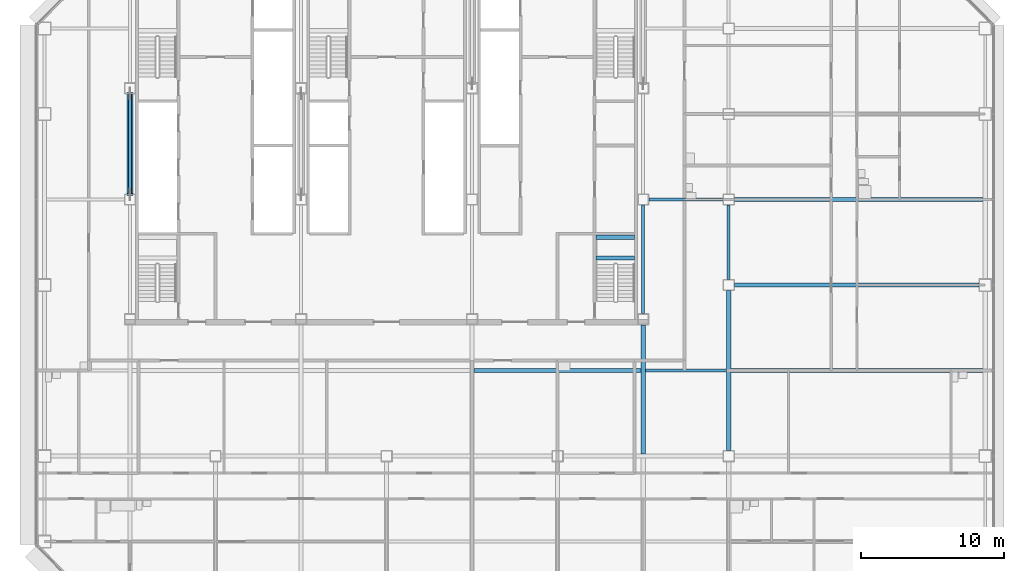
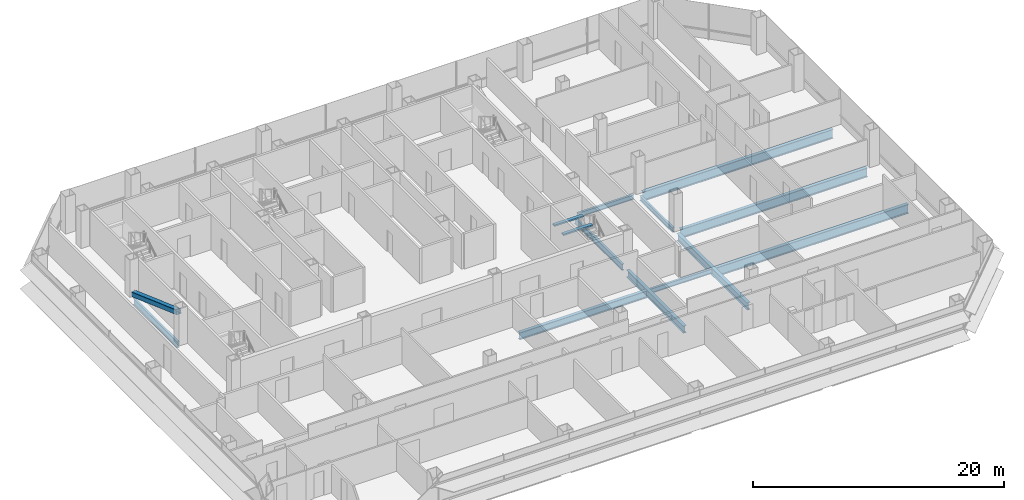
# One storey, part 10 of 27: 13 beams, 1 member.
"""IFC4 building model written with IfcOpenShell, lengths in metres."""

from ifc_helpers import new_model, si_unit, direction, frame, origin, origin_2d, place, context, subcontext, project, spatial, rectangle, hollow_rectangle, i_section, extrude, material, material_profile, profile_set, type_object, element, save


model = new_model("IFC4")

# Units and contexts
model_context = context("Model", 3, precision=1e-05, world=origin(), true_north=direction((0.0, 1.0)))
body_context = subcontext(model_context, "Body", "Model", "MODEL_VIEW")
ifc_project = project(units=[si_unit("LENGTHUNIT", "METRE"), si_unit("AREAUNIT", "SQUARE_METRE"), si_unit("VOLUMEUNIT", "CUBIC_METRE"), si_unit("PLANEANGLEUNIT", "RADIAN"), si_unit("MASSUNIT", "GRAM", prefix="KILO")], contexts=[model_context])

# Site, building, storey
site_placement = place(None, origin())
site = spatial("IfcSite", under=ifc_project, at=site_placement, CompositionType="ELEMENT")
building_placement = place(site_placement, origin())
building = spatial("IfcBuilding", under=site, at=building_placement, Name="Sorahane Residences", CompositionType="ELEMENT")
storey_placement = place(building_placement, frame((0.0, 0.0, 75.0)))
storey = spatial("IfcBuildingStorey", under=building, at=storey_placement, Name="L15", CompositionType="ELEMENT", Elevation=75.0)

# Member
ifc_material_1 = material(Name="Steel Q355B", Category="steel")
ifc_material_profile_1 = material_profile(ifc_material_1, hollow_rectangle(XDim=0.449951171875, YDim=0.449951171875, WallThickness=0.02197265625, InnerFilletRadius=0.010986328125, OuterFilletRadius=0.032958984375, at=origin_2d()), Name="RHS 450x450x22")
ifc_profile_set_1 = profile_set([ifc_material_profile_1], Name="Steel Q355B")
member_type = type_object("IfcMemberType", Name="Core brace RHS 450x450x22 Q355B", PredefinedType="BRACE", material=ifc_profile_set_1)
member_placement = place(storey_placement, frame((6.0, 37.44580078125, 0.20849609375), z_axis=(0.0, -0.940886586011, 0.338721762313), x_axis=(1.0, 0.0, 0.0)))
element("IfcMember", 1, at=member_placement, inside=storey, type_object=member_type, Name="Core brace L15 x6-2", PredefinedType="BRACE", context=body_context, shape_type="SweptSolid", body=[
    extrude(hollow_rectangle(XDim=0.449951171875, YDim=0.449951171875, WallThickness=0.02197265625, InnerFilletRadius=0.010986328125, OuterFilletRadius=0.032958984375, at=origin_2d()), origin(), (0.0, 0.0, 1.0), 7.537109375),
])

# Beams
ifc_material_2 = material(Name="Concrete C40", Category="concrete")
ifc_material_profile_2 = material_profile(ifc_material_2, rectangle(XDim=0.300048828125, YDim=0.139892578125, at=origin_2d()), Name="300x140")
ifc_profile_set_2 = profile_set([ifc_material_profile_2], Name="Concrete C40")
beam_type_1 = type_object("IfcBeamType", Name="RC landing beam 300 x 140 Concrete C40", PredefinedType="BEAM", material=ifc_profile_set_2)
for number, where, z_axis, x_axis, name in (
    (2, (38.699951171875, 25.89990234375, 1.530029296875), (1.0, 0.0, 0.0), (0.0, 1.0, 0.0), "Landing beam"),
    (3, (38.699951171875, 27.35009765625, 1.530029296875), (1.0, 0.0, 0.0), (0.0, 1.0, 0.0), "Landing beam"),
):
    element("IfcBeam", number, at=place(storey_placement, frame(where, z_axis=z_axis, x_axis=x_axis)), inside=storey, type_object=beam_type_1, Name=name, PredefinedType="BEAM", context=body_context, shape_type="SweptSolid", body=[
        extrude(rectangle(XDim=0.300048828125, YDim=0.139892578125, at=origin_2d()), origin(), (0.0, 0.0, 1.0), 2.699951171875),
    ])
ifc_material_3 = material(Name="Steel Q355B", Category="steel")
ifc_material_profile_3 = material_profile(ifc_material_3, i_section(OverallWidth=0.199951171875, OverallDepth=0.449951171875, WebThickness=0.009033203125, FlangeThickness=0.013916015625, FilletRadius=0.02001953125, at=origin_2d()), Name="HN 450x200x9x14")
ifc_profile_set_3 = profile_set([ifc_material_profile_3], Name="Steel Q355B")
beam_type_2 = type_object("IfcBeamType", Name="Steel floor beam HN 450x200x9x14 Q355B", PredefinedType="BEAM", material=ifc_profile_set_3)
beam_1_placement = place(storey_placement, frame((48.0, 24.39990234375, -0.405029296875), z_axis=(0.0, 1.0, 0.0), x_axis=(-1.0, 0.0, 0.0)))
element("IfcBeam", 4, at=beam_1_placement, inside=storey, type_object=beam_type_2, Name="Beam L15 053", PredefinedType="BEAM", context=body_context, shape_type="SweptSolid", body=[
    extrude(i_section(OverallWidth=0.199951171875, OverallDepth=0.449951171875, WebThickness=0.009033203125, FlangeThickness=0.013916015625, FilletRadius=0.02001953125, at=origin_2d()), origin(), (0.0, 0.0, 1.0), 5.2001953125),
])
beam_2_placement = place(storey_placement, frame((42.14990234375, 18.0, -0.405029296875), z_axis=(1.0, 0.0, 0.0), x_axis=(0.0, 1.0, 0.0)))
element("IfcBeam", 5, at=beam_2_placement, inside=storey, type_object=beam_type_2, Name="Beam L15 074", PredefinedType="BEAM", context=body_context, shape_type="SweptSolid", body=[
    extrude(i_section(OverallWidth=0.199951171875, OverallDepth=0.449951171875, WebThickness=0.009033203125, FlangeThickness=0.013916015625, FilletRadius=0.02001953125, at=origin_2d()), origin(), (0.0, 0.0, 1.0), 5.7001953125),
])
beam_3_placement = place(storey_placement, frame((42.39990234375, 30.0, -0.405029296875), z_axis=(1.0, 0.0, 0.0), x_axis=(0.0, 1.0, 0.0)))
element("IfcBeam", 6, at=beam_3_placement, inside=storey, type_object=beam_type_2, Name="Beam L15 077", PredefinedType="BEAM", context=body_context, shape_type="SweptSolid", body=[
    extrude(i_section(OverallWidth=0.199951171875, OverallDepth=0.449951171875, WebThickness=0.009033203125, FlangeThickness=0.013916015625, FilletRadius=0.02001953125, at=origin_2d()), origin(), (0.0, 0.0, 1.0), 5.2001953125),
])
ifc_material_4 = material(Name="Steel Q355B", Category="steel")
ifc_material_profile_4 = material_profile(ifc_material_4, i_section(OverallWidth=0.199951171875, OverallDepth=0.60009765625, WebThickness=0.010986328125, FlangeThickness=0.01708984375, FilletRadius=0.02392578125, at=origin_2d()), Name="HN 600x200x11x17")
ifc_profile_set_4 = profile_set([ifc_material_profile_4], Name="Steel Q355B")
beam_type_3 = type_object("IfcBeamType", Name="Steel floor beam HN 600x200x11x17 Q355B", PredefinedType="BEAM", material=ifc_profile_set_4)
beam_4_placement = place(storey_placement, frame((6.0, 30.39990234375, -0.47998046875), z_axis=(0.0, 1.0, 0.0), x_axis=(-1.0, 0.0, 0.0)))
element("IfcBeam", 7, at=beam_4_placement, inside=storey, type_object=beam_type_3, Name="Beam L15 024", PredefinedType="BEAM", context=body_context, shape_type="SweptSolid", body=[
    extrude(i_section(OverallWidth=0.199951171875, OverallDepth=0.60009765625, WebThickness=0.010986328125, FlangeThickness=0.01708984375, FilletRadius=0.02392578125, at=origin_2d()), origin(), (0.0, 0.0, 1.0), 7.0),
])
beam_5_placement = place(storey_placement, frame((42.0, 22.0, -0.47998046875), z_axis=(0.0, 1.0, 0.0), x_axis=(-1.0, 0.0, 0.0)))
element("IfcBeam", 8, at=beam_5_placement, inside=storey, type_object=beam_type_3, Name="Beam L15 047", PredefinedType="BEAM", context=body_context, shape_type="SweptSolid", body=[
    extrude(i_section(OverallWidth=0.199951171875, OverallDepth=0.60009765625, WebThickness=0.010986328125, FlangeThickness=0.01708984375, FilletRadius=0.02392578125, at=origin_2d()), origin(), (0.0, 0.0, 1.0), 7.60009765625),
])
ifc_material_5 = material(Name="Steel Q355B", Category="steel")
ifc_material_profile_5 = material_profile(ifc_material_5, i_section(OverallWidth=0.300048828125, OverallDepth=0.699951171875, WebThickness=0.012939453125, FlangeThickness=0.02392578125, FilletRadius=0.028076171875, at=origin_2d()), Name="HN 700x300x13x24")
ifc_profile_set_5 = profile_set([ifc_material_profile_5], Name="Steel Q355B")
beam_type_4 = type_object("IfcBeamType", Name="Steel floor beam HN 700x300x13x24 Q355B", PredefinedType="BEAM", material=ifc_profile_set_5)
beam_6_placement = place(storey_placement, frame((42.0, 12.14990234375, -0.530029296875), z_axis=(0.0, 1.0, 0.0), x_axis=(-1.0, 0.0, 0.0)))
element("IfcBeam", 9, at=beam_6_placement, inside=storey, type_object=beam_type_4, Name="Beam L15 046", PredefinedType="BEAM", context=body_context, shape_type="SweptSolid", body=[
    extrude(i_section(OverallWidth=0.300048828125, OverallDepth=0.699951171875, WebThickness=0.012939453125, FlangeThickness=0.02392578125, FilletRadius=0.028076171875, at=origin_2d()), origin(), (0.0, 0.0, 1.0), 9.050048828125),
])
beam_7_placement = place(storey_placement, frame((48.0, 12.39990234375, -0.530029296875), z_axis=(0.0, 1.0, 0.0), x_axis=(-1.0, 0.0, 0.0)))
element("IfcBeam", 10, at=beam_7_placement, inside=storey, type_object=beam_type_4, Name="Beam L15 052", PredefinedType="BEAM", context=body_context, shape_type="SweptSolid", body=[
    extrude(i_section(OverallWidth=0.300048828125, OverallDepth=0.699951171875, WebThickness=0.012939453125, FlangeThickness=0.02392578125, FilletRadius=0.028076171875, at=origin_2d()), origin(), (0.0, 0.0, 1.0), 11.2001953125),
])
beam_8_placement = place(storey_placement, frame((30.14990234375, 18.0, -0.530029296875), z_axis=(1.0, 0.0, 0.0), x_axis=(0.0, 1.0, 0.0)))
element("IfcBeam", 11, at=beam_8_placement, inside=storey, type_object=beam_type_4, Name="Beam L15 073", PredefinedType="BEAM", context=body_context, shape_type="SweptSolid", body=[
    extrude(i_section(OverallWidth=0.300048828125, OverallDepth=0.699951171875, WebThickness=0.012939453125, FlangeThickness=0.02392578125, FilletRadius=0.028076171875, at=origin_2d()), origin(), (0.0, 0.0, 1.0), 11.7001953125),
])
ifc_material_6 = material(Name="Steel Q355B", Category="steel")
ifc_material_profile_6 = material_profile(ifc_material_6, i_section(OverallWidth=0.300048828125, OverallDepth=0.89990234375, WebThickness=0.01611328125, FlangeThickness=0.028076171875, FilletRadius=0.028076171875, at=origin_2d()), Name="HN 900x300x16x28")
ifc_profile_set_6 = profile_set([ifc_material_profile_6], Name="Steel Q355B")
beam_type_5 = type_object("IfcBeamType", Name="Steel floor beam HN 900x300x16x28 Q355B", PredefinedType="BEAM", material=ifc_profile_set_6)
beam_9_placement = place(storey_placement, frame((48.39990234375, 24.0, -0.6298828125), z_axis=(1.0, 0.0, 0.0), x_axis=(0.0, 1.0, 0.0)))
element("IfcBeam", 12, at=beam_9_placement, inside=storey, type_object=beam_type_5, Name="Beam L15 010", PredefinedType="BEAM", context=body_context, shape_type="SweptSolid", body=[
    extrude(i_section(OverallWidth=0.300048828125, OverallDepth=0.89990234375, WebThickness=0.01611328125, FlangeThickness=0.028076171875, FilletRadius=0.028076171875, at=origin_2d()), origin(), (0.0, 0.0, 1.0), 17.150146484375),
])
beam_10_placement = place(storey_placement, frame((48.14990234375, 18.0, -0.6298828125), z_axis=(1.0, 0.0, 0.0), x_axis=(0.0, 1.0, 0.0)))
element("IfcBeam", 13, at=beam_10_placement, inside=storey, type_object=beam_type_5, Name="Beam L15 075", PredefinedType="BEAM", context=body_context, shape_type="SweptSolid", body=[
    extrude(i_section(OverallWidth=0.300048828125, OverallDepth=0.89990234375, WebThickness=0.01611328125, FlangeThickness=0.028076171875, FilletRadius=0.028076171875, at=origin_2d()), origin(), (0.0, 0.0, 1.0), 17.7001953125),
])
beam_11_placement = place(storey_placement, frame((48.39990234375, 30.0, -0.6298828125), z_axis=(1.0, 0.0, 0.0), x_axis=(0.0, 1.0, 0.0)))
element("IfcBeam", 14, at=beam_11_placement, inside=storey, type_object=beam_type_5, Name="Beam L15 078", PredefinedType="BEAM", context=body_context, shape_type="SweptSolid", body=[
    extrude(i_section(OverallWidth=0.300048828125, OverallDepth=0.89990234375, WebThickness=0.01611328125, FlangeThickness=0.028076171875, FilletRadius=0.028076171875, at=origin_2d()), origin(), (0.0, 0.0, 1.0), 17.4501953125),
])

save(model, "model.ifc")
